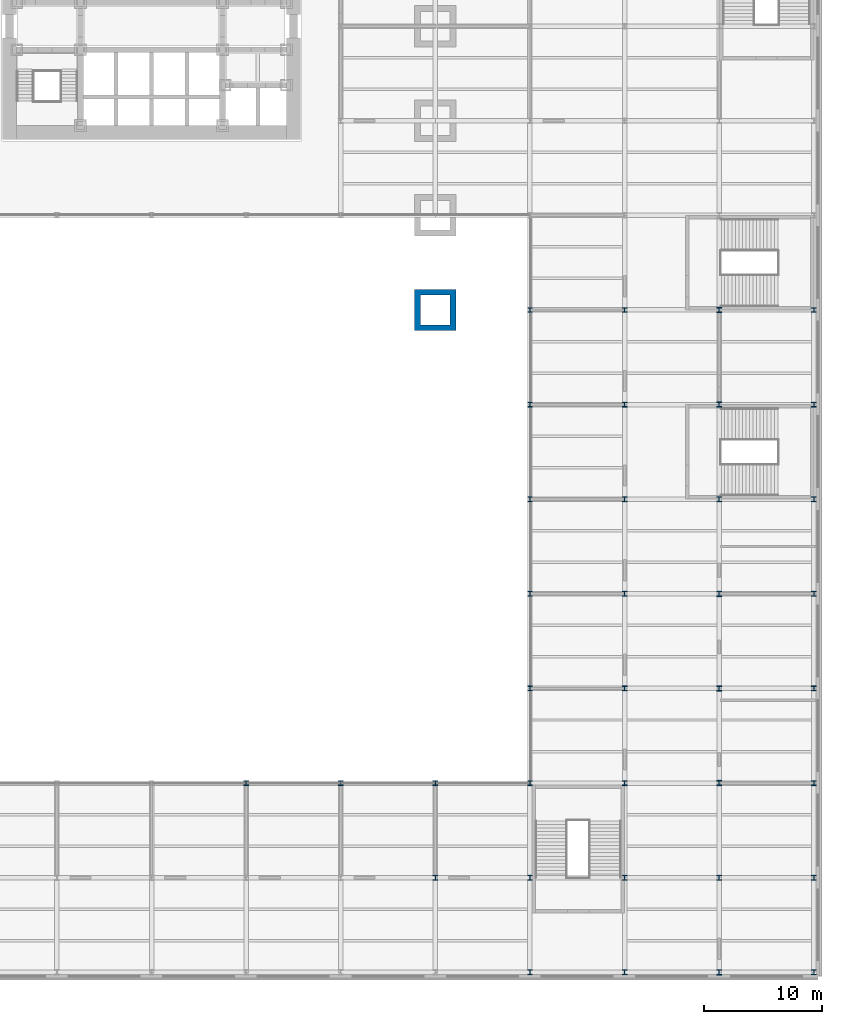
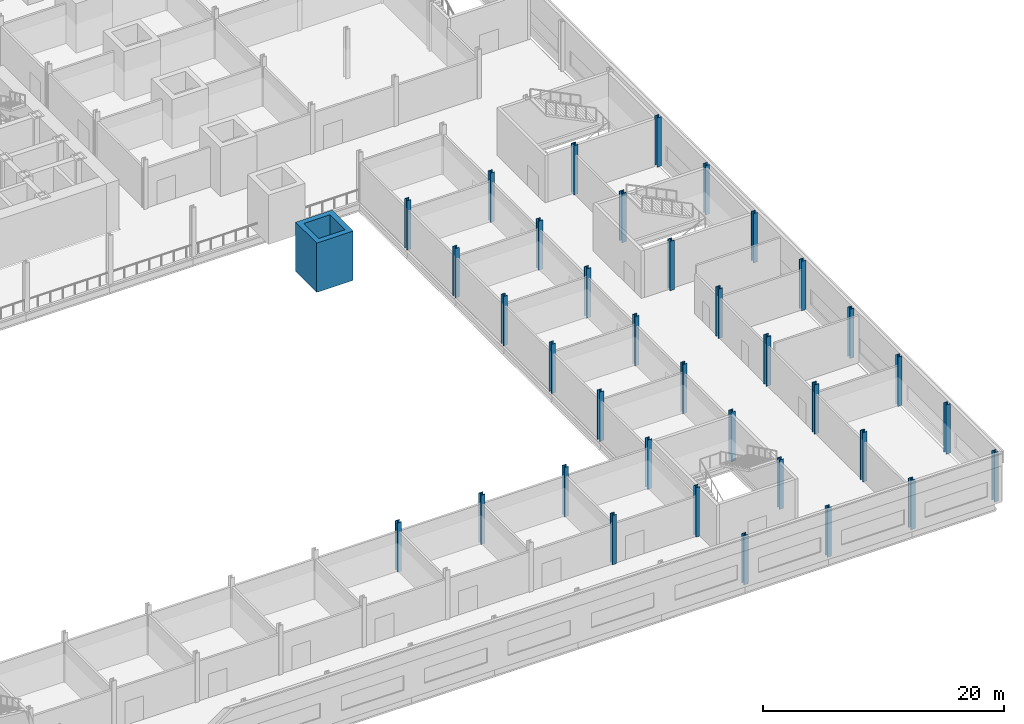
# One storey, part 3 of 22: 37 columns.
"""IFC4 building model written with IfcOpenShell, lengths in metres."""

from ifc_helpers import new_model, si_unit, direction, frame, origin, origin_2d, place, context, subcontext, project, spatial, hollow_rectangle, i_section, extrude, material, material_profile, profile_set, type_object, element, save


model = new_model("IFC4")

# Units and contexts
model_context = context("Model", 3, precision=1e-05, world=origin(), true_north=direction((0.0, 1.0)))
body_context = subcontext(model_context, "Body", "Model", "MODEL_VIEW")
ifc_project = project(units=[si_unit("LENGTHUNIT", "METRE"), si_unit("AREAUNIT", "SQUARE_METRE"), si_unit("VOLUMEUNIT", "CUBIC_METRE"), si_unit("PLANEANGLEUNIT", "RADIAN"), si_unit("MASSUNIT", "GRAM", prefix="KILO")], contexts=[model_context])

# Site, building, storey
site_placement = place(None, origin())
site = spatial("IfcSite", under=ifc_project, at=site_placement, CompositionType="ELEMENT")
building_placement = place(site_placement, origin())
building = spatial("IfcBuilding", under=site, at=building_placement, Name="Daluyong Arena Tower", CompositionType="ELEMENT")
storey_placement = place(building_placement, frame((0.0, 0.0, 9.89990234375)))
storey = spatial("IfcBuildingStorey", under=building, at=storey_placement, Name="L02", CompositionType="ELEMENT", Elevation=9.89990234375)

# Columns
ifc_material_1 = material(Name="Steel ASTM A913 Grade 65", Category="steel")
ifc_material_profile_1 = material_profile(ifc_material_1, i_section(OverallWidth=0.419189453125, OverallDepth=0.45458984375, WebThickness=0.042236328125, FlangeThickness=0.067626953125, at=origin_2d()))
ifc_profile_set_1 = profile_set([ifc_material_profile_1], Name="Steel ASTM A913 Grade 65")
column_type_1 = type_object("IfcColumnType", Name="Arena roof column W14X370", PredefinedType="COLUMN", material=ifc_profile_set_1)
for number, where, z_axis, x_axis, name in (
    (1, (104.0, 0.0, 0.0), (0.0, 0.0, 1.0), (1.0, 0.0, 0.0), "arena roof column AC1"),
    (2, (104.0, 8.0, 0.0), (0.0, 0.0, 1.0), (1.0, 0.0, 0.0), "arena roof column AC1"),
    (3, (104.0, 16.0, 0.0), (0.0, 0.0, 1.0), (1.0, 0.0, 0.0), "arena roof column AC1"),
    (4, (104.0, 24.0, 0.0), (0.0, 0.0, 1.0), (1.0, 0.0, 0.0), "arena roof column AC1"),
    (5, (104.0, 32.0, 0.0), (0.0, 0.0, 1.0), (1.0, 0.0, 0.0), "arena roof column AC1"),
    (6, (104.0, 40.0, 0.0), (0.0, 0.0, 1.0), (1.0, 0.0, 0.0), "arena roof column AC1"),
    (7, (104.0, 48.0, 0.0), (0.0, 0.0, 1.0), (1.0, 0.0, 0.0), "arena roof column AC1"),
    (8, (104.0, 56.0, 0.0), (0.0, 0.0, 1.0), (1.0, 0.0, 0.0), "arena roof column AC1"),
):
    element("IfcColumn", number, at=place(storey_placement, frame(where, z_axis=z_axis, x_axis=x_axis)), inside=storey, type_object=column_type_1, Name=name, PredefinedType="COLUMN", context=body_context, shape_type="SweptSolid", body=[
        extrude(i_section(OverallWidth=0.419189453125, OverallDepth=0.45458984375, WebThickness=0.042236328125, FlangeThickness=0.067626953125, at=origin_2d()), origin(), (0.0, 0.0, 1.0), 5.0),
    ])
ifc_material_2 = material(Name="Steel ASTM A992 Grade 50", Category="steel")
ifc_material_profile_2 = material_profile(ifc_material_2, i_section(OverallWidth=0.406494140625, OverallDepth=0.41650390625, WebThickness=0.030029296875, FlangeThickness=0.048095703125, at=origin_2d()))
ifc_profile_set_2 = profile_set([ifc_material_profile_2], Name="Steel ASTM A992 Grade 50")
column_type_2 = type_object("IfcColumnType", Name="Podium column W14X257", PredefinedType="COLUMN", material=ifc_profile_set_2)
for number, where, z_axis, x_axis, name in (
    (9, (64.0, 16.0, 0.0), (0.0, 0.0, 1.0), (1.0, 0.0, 0.0), "podium column PC2"),
    (10, (72.0, 16.0, 0.0), (0.0, 0.0, 1.0), (1.0, 0.0, 0.0), "podium column PC2"),
    (11, (80.0, 8.0, 0.0), (0.0, 0.0, 1.0), (1.0, 0.0, 0.0), "podium column PC2"),
    (12, (80.0, 16.0, 0.0), (0.0, 0.0, 1.0), (1.0, 0.0, 0.0), "podium column PC2"),
    (13, (88.0, 0.0, 0.0), (0.0, 0.0, 1.0), (1.0, 0.0, 0.0), "podium column PC2"),
    (14, (88.0, 8.0, 0.0), (0.0, 0.0, 1.0), (1.0, 0.0, 0.0), "podium column PC2"),
    (15, (88.0, 16.0, 0.0), (0.0, 0.0, 1.0), (1.0, 0.0, 0.0), "podium column PC2"),
    (16, (88.0, 24.0, 0.0), (0.0, 0.0, 1.0), (1.0, 0.0, 0.0), "podium column PC2"),
    (17, (88.0, 32.0, 0.0), (0.0, 0.0, 1.0), (1.0, 0.0, 0.0), "podium column PC2"),
    (18, (88.0, 40.0, 0.0), (0.0, 0.0, 1.0), (1.0, 0.0, 0.0), "podium column PC2"),
    (19, (88.0, 48.0, 0.0), (0.0, 0.0, 1.0), (1.0, 0.0, 0.0), "podium column PC2"),
    (20, (88.0, 56.0, 0.0), (0.0, 0.0, 1.0), (1.0, 0.0, 0.0), "podium column PC2"),
    (21, (96.0, 0.0, 0.0), (0.0, 0.0, 1.0), (1.0, 0.0, 0.0), "podium column PC2"),
    (22, (96.0, 8.0, 0.0), (0.0, 0.0, 1.0), (1.0, 0.0, 0.0), "podium column PC2"),
    (23, (96.0, 16.0, 0.0), (0.0, 0.0, 1.0), (1.0, 0.0, 0.0), "podium column PC2"),
    (24, (96.0, 24.0, 0.0), (0.0, 0.0, 1.0), (1.0, 0.0, 0.0), "podium column PC2"),
    (25, (96.0, 32.0, 0.0), (0.0, 0.0, 1.0), (1.0, 0.0, 0.0), "podium column PC2"),
    (26, (96.0, 40.0, 0.0), (0.0, 0.0, 1.0), (1.0, 0.0, 0.0), "podium column PC2"),
    (27, (96.0, 48.0, 0.0), (0.0, 0.0, 1.0), (1.0, 0.0, 0.0), "podium column PC2"),
    (28, (96.0, 56.0, 0.0), (0.0, 0.0, 1.0), (1.0, 0.0, 0.0), "podium column PC2"),
    (29, (112.0, 0.0, 0.0), (0.0, 0.0, 1.0), (1.0, 0.0, 0.0), "podium column PC2"),
    (30, (112.0, 8.0, 0.0), (0.0, 0.0, 1.0), (1.0, 0.0, 0.0), "podium column PC2"),
    (31, (112.0, 16.0, 0.0), (0.0, 0.0, 1.0), (1.0, 0.0, 0.0), "podium column PC2"),
    (32, (112.0, 24.0, 0.0), (0.0, 0.0, 1.0), (1.0, 0.0, 0.0), "podium column PC2"),
    (33, (112.0, 32.0, 0.0), (0.0, 0.0, 1.0), (1.0, 0.0, 0.0), "podium column PC2"),
    (34, (112.0, 40.0, 0.0), (0.0, 0.0, 1.0), (1.0, 0.0, 0.0), "podium column PC2"),
    (35, (112.0, 48.0, 0.0), (0.0, 0.0, 1.0), (1.0, 0.0, 0.0), "podium column PC2"),
    (36, (112.0, 56.0, 0.0), (0.0, 0.0, 1.0), (1.0, 0.0, 0.0), "podium column PC2"),
):
    element("IfcColumn", number, at=place(storey_placement, frame(where, z_axis=z_axis, x_axis=x_axis)), inside=storey, type_object=column_type_2, Name=name, PredefinedType="COLUMN", context=body_context, shape_type="SweptSolid", body=[
        extrude(i_section(OverallWidth=0.406494140625, OverallDepth=0.41650390625, WebThickness=0.030029296875, FlangeThickness=0.048095703125, at=origin_2d()), origin(), (0.0, 0.0, 1.0), 5.0),
    ])
ifc_material_3 = material(Name="Steel ASTM A36", Category="steel")
ifc_material_profile_3 = material_profile(ifc_material_3, hollow_rectangle(XDim=3.5, YDim=3.5, WallThickness=0.5, at=origin_2d()))
ifc_profile_set_3 = profile_set([ifc_material_profile_3], Name="Steel ASTM A36")
column_type_3 = type_object("IfcColumnType", Name="Podium megacolumn BX3500X500", PredefinedType="COLUMN", material=ifc_profile_set_3)
column_placement = place(storey_placement, frame((80.0, 56.0, 0.0), z_axis=(0.0, 0.0, 1.0), x_axis=(1.0, 0.0, 0.0)))
element("IfcColumn", 37, at=column_placement, inside=storey, type_object=column_type_3, Name="podium megacolumn MC1", PredefinedType="COLUMN", context=body_context, shape_type="SweptSolid", body=[
    extrude(hollow_rectangle(XDim=3.5, YDim=3.5, WallThickness=0.5, at=origin_2d()), origin(), (0.0, 0.0, 1.0), 5.0),
])

save(model, "model.ifc")
